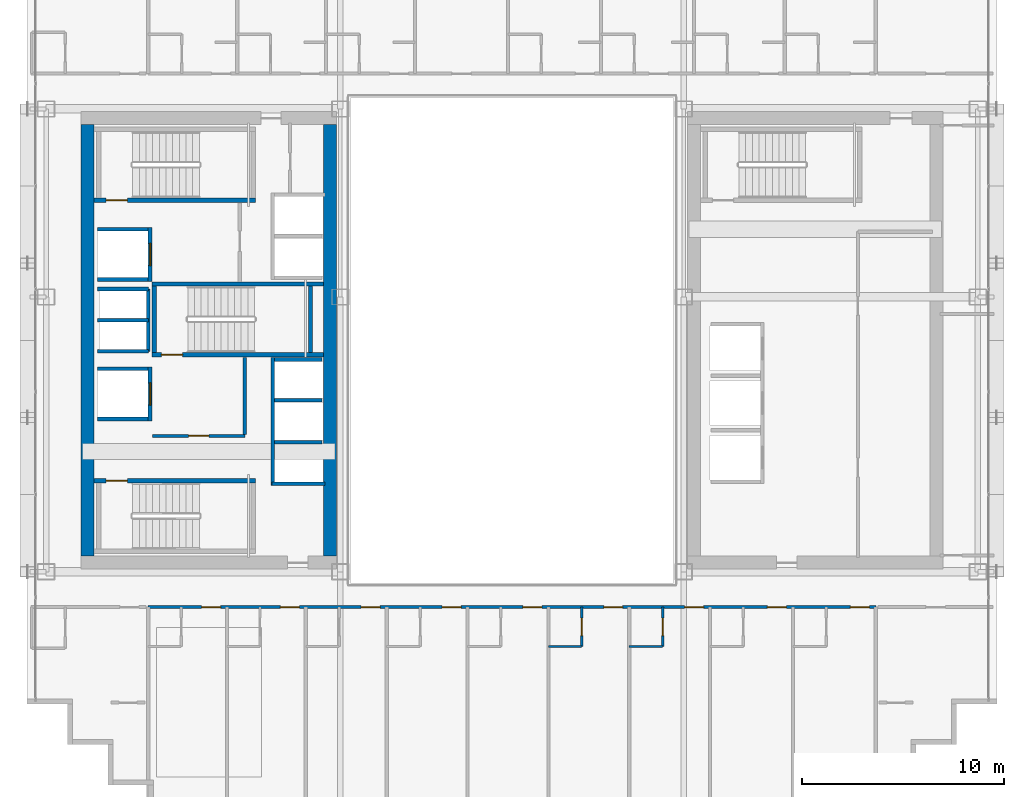
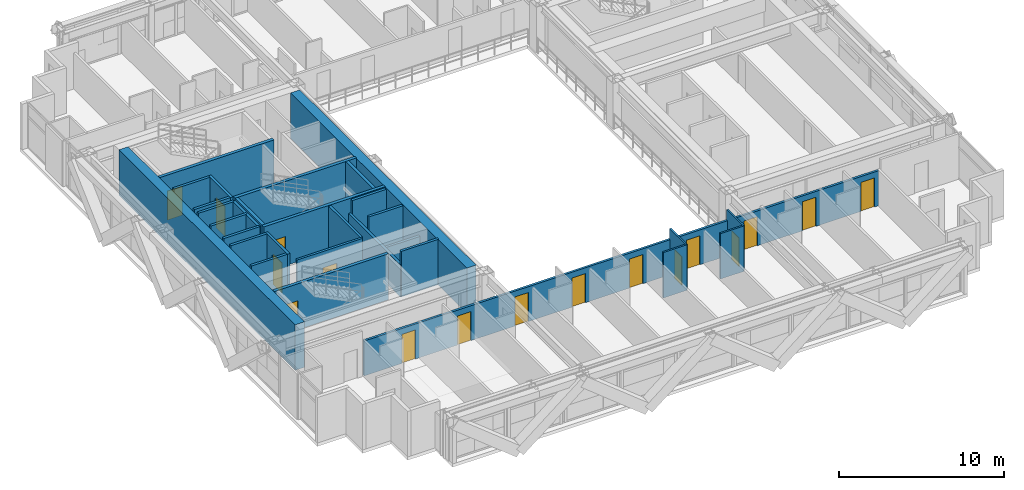
# One storey, part 28 of 36: 30 walls, 17 doors, 17 openings.
"""IFC4 building model written with IfcOpenShell, lengths in metres."""

from ifc_helpers import new_model, si_unit, direction, frame, frame_2d, origin, place, context, subcontext, project, spatial, rectangle, extrude, source, transform, mapped, material, layer, layer_set, type_object, element, fill, save


model = new_model("IFC4")

# Units and contexts
model_context = context("Model", 3, precision=1e-05, world=origin(), true_north=direction((0.0, 1.0)))
body_context = subcontext(model_context, "Body", "Model", "MODEL_VIEW")
ifc_project = project(units=[si_unit("LENGTHUNIT", "METRE"), si_unit("AREAUNIT", "SQUARE_METRE"), si_unit("VOLUMEUNIT", "CUBIC_METRE"), si_unit("PLANEANGLEUNIT", "RADIAN"), si_unit("MASSUNIT", "GRAM", prefix="KILO")], contexts=[model_context])

# Site, building, storey
site_placement = place(None, origin())
site = spatial("IfcSite", under=ifc_project, at=site_placement, CompositionType="ELEMENT")
building_placement = place(site_placement, origin())
building = spatial("IfcBuilding", under=site, at=building_placement, Name="Ocotamira Hotel", CompositionType="ELEMENT")
storey_placement = place(building_placement, frame((0.0, 0.0, 129.60009765625)))
storey = spatial("IfcBuildingStorey", under=building, at=storey_placement, Name="L32", CompositionType="ELEMENT", Elevation=129.60009765625)

# Walls
ifc_material_1 = material(Name="Concrete C60/75", Category="concrete")
ifc_layer_1 = layer(ifc_material_1, 0.64990234375)
ifc_layer_set_1 = layer_set([ifc_layer_1], Name="Concrete C60/75")
wall_type_1 = type_object("IfcWallType", Name="WL-CORE-650", PredefinedType="SHEAR", material=ifc_layer_set_1)
for number, where, z_axis, x_axis, name in (
    (1, (11.0, 15.324951171875, 0.0), (0.0, 0.0, 1.0), (0.0, 1.0, 0.0), "L32 Shear Core Wall WCORE-W"),
    (2, (23.0, 15.324951171875, 0.0), (0.0, 0.0, 1.0), (0.0, 1.0, 0.0), "L32 Shear Core Wall WCORE-E"),
):
    element("IfcWall", number, at=place(storey_placement, frame(where, z_axis=z_axis, x_axis=x_axis)), inside=storey, type_object=wall_type_1, Name=name, PredefinedType="SHEAR", context=body_context, shape_type="SweptSolid", body=[
        extrude(rectangle(XDim=21.35009765625, YDim=0.64990234375, at=frame_2d((10.675048828125, 0.0))), origin(), (0.0, 0.0, 1.0), 3.35986328125),
    ])

# Wall, opening, door
ifc_material_2 = material(Name="Acoustic double-layer fire gypsum board partition", Category="gypsum")
ifc_layer_2 = layer(ifc_material_2, 0.159912109375)
ifc_layer_set_2 = layer_set([ifc_layer_2], Name="Acoustic double-layer fire gypsum board partition")
wall_type_2 = type_object("IfcWallType", Name="WL-FIRE-160", PredefinedType="PARTITIONING", material=ifc_layer_set_2)
wall_1_placement = place(storey_placement, frame((14.199951171875, 21.27001953125, 0.0), z_axis=(0.0, 0.0, 1.0), x_axis=(1.0, 0.0, 0.0)))
wall_1 = element("IfcWall", 3, at=wall_1_placement, inside=storey, type_object=wall_type_2, Name="L32 Interior Wall PW-L32-FSAE1-S", PredefinedType="PARTITIONING", context=body_context, shape_type="SweptSolid", body=[
    extrude(rectangle(XDim=4.580078125, YDim=0.159912109375, at=frame_2d((2.2900390625, 0.0))), origin(), (0.0, 0.0, 1.0), 3.35986328125),
])
opening_1_placement = place(wall_1_placement, frame((1.800048828125, 0.0, 0.0)))
opening_1 = element("IfcOpeningElement", 4, at=opening_1_placement, cuts=wall_1, Name="Opening D-FR2", PredefinedType="OPENING", context=body_context, shape_type="SweptSolid", body=[
    extrude(rectangle(XDim=1.0, YDim=2.14990234375, at=frame_2d((0.5, 1.074951171875))), frame((0.0, 0.08984375, 0.0), z_axis=(0.0, -1.0, 0.0), x_axis=(1.0, 0.0, 0.0)), (0.0, 0.0, 1.0), 0.179931640625),
])
ifc_material_3 = material(Name="Fire-rated acoustic timber-veneer door", Category="wood")
door_type_1 = type_object("IfcDoorType", Name="DR-FIRE-1000", OperationType="NOTDEFINED", PredefinedType="DOOR", material=ifc_material_3)
shared_shape_1 = source(origin(), body_context, "Body", "SweptSolid", [
    extrude(rectangle(XDim=1.0, YDim=2.14990234375, at=frame_2d((0.5, 1.074951171875))), frame((0.0, 0.02490234375, 0.0), z_axis=(0.0, -1.0, 0.0), x_axis=(1.0, 0.0, 0.0)), (0.0, 0.0, 1.0), 0.050048828125),
])
door_1_placement = place(opening_1_placement, origin())
door_1 = element("IfcDoor", 5, at=door_1_placement, inside=storey, type_object=door_type_1, Name="L32 Door ID-L32-FSAE1-D [ID-L32-FSAE1-D]", OperationType="SINGLE_SWING_LEFT", OverallHeight=2.14990234375, OverallWidth=1.0, PredefinedType="DOOR", context=body_context, shape_type="MappedRepresentation", body=[
    mapped(shared_shape_1, transform((0.0, 0.0, 0.0), scale=1.0)),
])
fill(opening_1, door_1)

# Wall
wall_2_placement = place(storey_placement, frame((18.780029296875, 21.35009765625, 0.0), z_axis=(0.0, 0.0, 1.0), x_axis=(0.0, 1.0, 0.0)))
element("IfcWall", 6, at=wall_2_placement, inside=storey, type_object=wall_type_2, Name="L32 Interior Wall PW-L32-FSAE1-E", PredefinedType="PARTITIONING", context=body_context, shape_type="SweptSolid", body=[
    extrude(rectangle(XDim=3.809814453125, YDim=0.159912109375, at=frame_2d((1.90478515625, 0.0))), origin(), (0.0, 0.0, 1.0), 3.35986328125),
])

# Wall, openings, doors
wall_3_placement = place(storey_placement, frame((14.0, 12.800048828125, 0.0), z_axis=(0.0, 0.0, 1.0), x_axis=(1.0, 0.0, 0.0)))
wall_3 = element("IfcWall", 7, at=wall_3_placement, inside=storey, type_object=wall_type_2, Name="L32 Interior Wall PW-L32-Z2DS-CORRW", PredefinedType="PARTITIONING", context=body_context, shape_type="SweptSolid", body=[
    extrude(rectangle(XDim=36.0, YDim=0.159912109375, at=frame_2d((18.0, 0.0))), origin(), (0.0, 0.0, 1.0), 2.580810546875),
])
opening_2_placement = place(wall_3_placement, frame((2.639892578125, 0.0, 0.0)))
opening_2 = element("IfcOpeningElement", 8, at=opening_2_placement, cuts=wall_3, Name="Opening D-GR1", PredefinedType="OPENING", context=body_context, shape_type="SweptSolid", body=[
    extrude(rectangle(XDim=0.93994140625, YDim=2.14990234375, at=frame_2d((0.469970703125, 1.074951171875))), frame((0.0, 0.08984375, 0.0), z_axis=(0.0, -1.0, 0.0), x_axis=(1.0, 0.0, 0.0)), (0.0, 0.0, 1.0), 0.179931640625),
])
opening_3_placement = place(wall_3_placement, frame((6.5400390625, 0.0, 0.0)))
opening_3 = element("IfcOpeningElement", 9, at=opening_3_placement, cuts=wall_3, Name="Opening D-GR1", PredefinedType="OPENING", context=body_context, shape_type="SweptSolid", body=[
    extrude(rectangle(XDim=0.93994140625, YDim=2.14990234375, at=frame_2d((0.469970703125, 1.074951171875))), frame((0.0, 0.08984375, 0.0), z_axis=(0.0, -1.0, 0.0), x_axis=(1.0, 0.0, 0.0)), (0.0, 0.0, 1.0), 0.179931640625),
])
opening_4_placement = place(wall_3_placement, frame((10.5400390625, 0.0, 0.0)))
opening_4 = element("IfcOpeningElement", 10, at=opening_4_placement, cuts=wall_3, Name="Opening D-GR1", PredefinedType="OPENING", context=body_context, shape_type="SweptSolid", body=[
    extrude(rectangle(XDim=0.93994140625, YDim=2.14990234375, at=frame_2d((0.469970703125, 1.074951171875))), frame((0.0, 0.08984375, 0.0), z_axis=(0.0, -1.0, 0.0), x_axis=(1.0, 0.0, 0.0)), (0.0, 0.0, 1.0), 0.179931640625),
])
opening_5_placement = place(wall_3_placement, frame((14.5400390625, 0.0, 0.0)))
opening_5 = element("IfcOpeningElement", 11, at=opening_5_placement, cuts=wall_3, Name="Opening D-GR1", PredefinedType="OPENING", context=body_context, shape_type="SweptSolid", body=[
    extrude(rectangle(XDim=0.93994140625, YDim=2.14990234375, at=frame_2d((0.469970703125, 1.074951171875))), frame((0.0, 0.08984375, 0.0), z_axis=(0.0, -1.0, 0.0), x_axis=(1.0, 0.0, 0.0)), (0.0, 0.0, 1.0), 0.179931640625),
])
opening_6_placement = place(wall_3_placement, frame((18.5400390625, 0.0, 0.0)))
opening_6 = element("IfcOpeningElement", 12, at=opening_6_placement, cuts=wall_3, Name="Opening D-GR1", PredefinedType="OPENING", context=body_context, shape_type="SweptSolid", body=[
    extrude(rectangle(XDim=0.93994140625, YDim=2.14990234375, at=frame_2d((0.469970703125, 1.074951171875))), frame((0.0, 0.08984375, 0.0), z_axis=(0.0, -1.0, 0.0), x_axis=(1.0, 0.0, 0.0)), (0.0, 0.0, 1.0), 0.179931640625),
])
opening_7_placement = place(wall_3_placement, frame((22.5400390625, 0.0, 0.0)))
opening_7 = element("IfcOpeningElement", 13, at=opening_7_placement, cuts=wall_3, Name="Opening D-GR1", PredefinedType="OPENING", context=body_context, shape_type="SweptSolid", body=[
    extrude(rectangle(XDim=0.93994140625, YDim=2.14990234375, at=frame_2d((0.469970703125, 1.074951171875))), frame((0.0, 0.08984375, 0.0), z_axis=(0.0, -1.0, 0.0), x_axis=(1.0, 0.0, 0.0)), (0.0, 0.0, 1.0), 0.179931640625),
])
opening_8_placement = place(wall_3_placement, frame((26.5400390625, 0.0, 0.0)))
opening_8 = element("IfcOpeningElement", 14, at=opening_8_placement, cuts=wall_3, Name="Opening D-GR1", PredefinedType="OPENING", context=body_context, shape_type="SweptSolid", body=[
    extrude(rectangle(XDim=0.93994140625, YDim=2.14990234375, at=frame_2d((0.469970703125, 1.074951171875))), frame((0.0, 0.08984375, 0.0), z_axis=(0.0, -1.0, 0.0), x_axis=(1.0, 0.0, 0.0)), (0.0, 0.0, 1.0), 0.179931640625),
])
opening_9_placement = place(wall_3_placement, frame((30.639892578125, 0.0, 0.0)))
opening_9 = element("IfcOpeningElement", 15, at=opening_9_placement, cuts=wall_3, Name="Opening D-GR1", PredefinedType="OPENING", context=body_context, shape_type="SweptSolid", body=[
    extrude(rectangle(XDim=0.93994140625, YDim=2.14990234375, at=frame_2d((0.469970703125, 1.074951171875))), frame((0.0, 0.08984375, 0.0), z_axis=(0.0, -1.0, 0.0), x_axis=(1.0, 0.0, 0.0)), (0.0, 0.0, 1.0), 0.179931640625),
])
opening_10_placement = place(wall_3_placement, frame((34.739990234375, 0.0, 0.0)))
opening_10 = element("IfcOpeningElement", 16, at=opening_10_placement, cuts=wall_3, Name="Opening D-GR1", PredefinedType="OPENING", context=body_context, shape_type="SweptSolid", body=[
    extrude(rectangle(XDim=0.93994140625, YDim=2.14990234375, at=frame_2d((0.469970703125, 1.074951171875))), frame((0.0, 0.08984375, 0.0), z_axis=(0.0, -1.0, 0.0), x_axis=(1.0, 0.0, 0.0)), (0.0, 0.0, 1.0), 0.179931640625),
])
ifc_material_4 = material(Name="Solid-core walnut suite entrance fire door", Category="wood")
door_type_2 = type_object("IfcDoorType", Name="DR-GUEST-940", OperationType="NOTDEFINED", PredefinedType="DOOR", material=ifc_material_4)
shared_shape_2 = source(origin(), body_context, "Body", "SweptSolid", [
    extrude(rectangle(XDim=0.93994140625, YDim=2.14990234375, at=frame_2d((0.469970703125, 1.074951171875))), frame((0.0, 0.02490234375, 0.0), z_axis=(0.0, -1.0, 0.0), x_axis=(1.0, 0.0, 0.0)), (0.0, 0.0, 1.0), 0.050048828125),
])
door_2_placement = place(opening_2_placement, origin())
door_2 = element("IfcDoor", 17, at=door_2_placement, inside=storey, type_object=door_type_2, Name="L32 Door ID-L32-Z2DS-RMD1 [ID-L32-Z2DS-RMD1]", OperationType="SINGLE_SWING_LEFT", OverallHeight=2.14990234375, OverallWidth=0.93994140625, PredefinedType="DOOR", context=body_context, shape_type="MappedRepresentation", body=[
    mapped(shared_shape_2, transform((0.0, 0.0, 0.0), scale=1.0)),
])
fill(opening_2, door_2)
door_3_placement = place(opening_3_placement, origin())
door_3 = element("IfcDoor", 18, at=door_3_placement, inside=storey, type_object=door_type_2, Name="L32 Door ID-L32-Z2DS-RMD2 [ID-L32-Z2DS-RMD2]", OperationType="SINGLE_SWING_RIGHT", OverallHeight=2.14990234375, OverallWidth=0.93994140625, PredefinedType="DOOR", context=body_context, shape_type="MappedRepresentation", body=[
    mapped(shared_shape_2, transform((0.0, 0.0, 0.0), scale=1.0)),
])
fill(opening_3, door_3)
door_4_placement = place(opening_4_placement, origin())
door_4 = element("IfcDoor", 19, at=door_4_placement, inside=storey, type_object=door_type_2, Name="L32 Door ID-L32-Z2DS-RMD3 [ID-L32-Z2DS-RMD3]", OperationType="SINGLE_SWING_LEFT", OverallHeight=2.14990234375, OverallWidth=0.93994140625, PredefinedType="DOOR", context=body_context, shape_type="MappedRepresentation", body=[
    mapped(shared_shape_2, transform((0.0, 0.0, 0.0), scale=1.0)),
])
fill(opening_4, door_4)
door_5_placement = place(opening_5_placement, origin())
door_5 = element("IfcDoor", 20, at=door_5_placement, inside=storey, type_object=door_type_2, Name="L32 Door ID-L32-Z2DS-RMD4 [ID-L32-Z2DS-RMD4]", OperationType="SINGLE_SWING_RIGHT", OverallHeight=2.14990234375, OverallWidth=0.93994140625, PredefinedType="DOOR", context=body_context, shape_type="MappedRepresentation", body=[
    mapped(shared_shape_2, transform((0.0, 0.0, 0.0), scale=1.0)),
])
fill(opening_5, door_5)
door_6_placement = place(opening_6_placement, origin())
door_6 = element("IfcDoor", 21, at=door_6_placement, inside=storey, type_object=door_type_2, Name="L32 Door ID-L32-Z2DS-RMD5 [ID-L32-Z2DS-RMD5]", OperationType="SINGLE_SWING_LEFT", OverallHeight=2.14990234375, OverallWidth=0.93994140625, PredefinedType="DOOR", context=body_context, shape_type="MappedRepresentation", body=[
    mapped(shared_shape_2, transform((0.0, 0.0, 0.0), scale=1.0)),
])
fill(opening_6, door_6)
door_7_placement = place(opening_7_placement, origin())
door_7 = element("IfcDoor", 22, at=door_7_placement, inside=storey, type_object=door_type_2, Name="L32 Door ID-L32-Z2DS-RMD6 [ID-L32-Z2DS-RMD6]", OperationType="SINGLE_SWING_RIGHT", OverallHeight=2.14990234375, OverallWidth=0.93994140625, PredefinedType="DOOR", context=body_context, shape_type="MappedRepresentation", body=[
    mapped(shared_shape_2, transform((0.0, 0.0, 0.0), scale=1.0)),
])
fill(opening_7, door_7)
door_8_placement = place(opening_8_placement, origin())
door_8 = element("IfcDoor", 23, at=door_8_placement, inside=storey, type_object=door_type_2, Name="L32 Door ID-L32-Z2DS-RMD7 [ID-L32-Z2DS-RMD7]", OperationType="SINGLE_SWING_LEFT", OverallHeight=2.14990234375, OverallWidth=0.93994140625, PredefinedType="DOOR", context=body_context, shape_type="MappedRepresentation", body=[
    mapped(shared_shape_2, transform((0.0, 0.0, 0.0), scale=1.0)),
])
fill(opening_8, door_8)
door_9_placement = place(opening_9_placement, origin())
door_9 = element("IfcDoor", 24, at=door_9_placement, inside=storey, type_object=door_type_2, Name="L32 Door ID-L32-Z2DS-RMD8 [ID-L32-Z2DS-RMD8]", OperationType="SINGLE_SWING_RIGHT", OverallHeight=2.14990234375, OverallWidth=0.93994140625, PredefinedType="DOOR", context=body_context, shape_type="MappedRepresentation", body=[
    mapped(shared_shape_2, transform((0.0, 0.0, 0.0), scale=1.0)),
])
fill(opening_9, door_9)
door_10_placement = place(opening_10_placement, origin())
door_10 = element("IfcDoor", 25, at=door_10_placement, inside=storey, type_object=door_type_2, Name="L32 Door ID-L32-Z2DS-RMD9 [ID-L32-Z2DS-RMD9]", OperationType="SINGLE_SWING_LEFT", OverallHeight=2.14990234375, OverallWidth=0.93994140625, PredefinedType="DOOR", context=body_context, shape_type="MappedRepresentation", body=[
    mapped(shared_shape_2, transform((0.0, 0.0, 0.0), scale=1.0)),
])
fill(opening_10, door_10)

# Wall, opening, door
ifc_material_5 = material(Name="Moisture-resistant en-suite tile and gypsum partition", Category="gypsum")
ifc_layer_3 = layer(ifc_material_5, 0.1201171875)
ifc_layer_set_3 = layer_set([ifc_layer_3], Name="Moisture-resistant en-suite tile and gypsum partition")
wall_type_3 = type_object("IfcWallType", Name="WL-PART-120", PredefinedType="PARTITIONING", material=ifc_layer_set_3)
wall_4_placement = place(storey_placement, frame((35.449951171875, 10.85009765625, 0.0), z_axis=(0.0, 0.0, 1.0), x_axis=(0.0, 1.0, 0.0)))
wall_4 = element("IfcWall", 26, at=wall_4_placement, inside=storey, type_object=wall_type_3, Name="L32 Interior Wall PW-L32-Z2DS-BAE6", PredefinedType="PARTITIONING", context=body_context, shape_type="SweptSolid", body=[
    extrude(rectangle(XDim=1.949951171875, YDim=0.1201171875, at=frame_2d((0.97509765625, 0.0))), origin(), (0.0, 0.0, 1.0), 3.35986328125),
])
opening_11_placement = place(wall_4_placement, frame((0.544921875, 0.0, 0.0)))
opening_11 = element("IfcOpeningElement", 27, at=opening_11_placement, cuts=wall_4, Name="Opening D-BA1", PredefinedType="OPENING", context=body_context, shape_type="SweptSolid", body=[
    extrude(rectangle(XDim=0.860107421875, YDim=2.10009765625, at=frame_2d((0.43017578125, 1.050048828125))), frame((0.0, 0.070068359375, 0.0), z_axis=(0.0, -1.0, 0.0), x_axis=(1.0, 0.0, 0.0)), (0.0, 0.0, 1.0), 0.14013671875),
])
ifc_material_6 = material(Name="Moisture-sealed en-suite timber door", Category="wood")
door_type_3 = type_object("IfcDoorType", Name="DR-BATH-860", OperationType="NOTDEFINED", PredefinedType="DOOR", material=ifc_material_6)
shared_shape_3 = source(origin(), body_context, "Body", "SweptSolid", [
    extrude(rectangle(XDim=0.860107421875, YDim=2.10009765625, at=frame_2d((0.43017578125, 1.050048828125))), frame((0.0, 0.02490234375, 0.0), z_axis=(0.0, -1.0, 0.0), x_axis=(1.0, 0.0, 0.0)), (0.0, 0.0, 1.0), 0.050048828125),
])
door_11_placement = place(opening_11_placement, origin())
door_11 = element("IfcDoor", 28, at=door_11_placement, inside=storey, type_object=door_type_3, Name="L32 Door ID-L32-Z2DS-BAD6 [ID-L32-Z2DS-BAD6]", OperationType="SINGLE_SWING_LEFT", OverallHeight=2.10009765625, OverallWidth=0.860107421875, PredefinedType="DOOR", context=body_context, shape_type="MappedRepresentation", body=[
    mapped(shared_shape_3, transform((0.0, 0.0, 0.0), scale=1.0)),
])
fill(opening_11, door_11)

# Wall
wall_5_placement = place(storey_placement, frame((33.800048828125, 10.85009765625, 0.0), z_axis=(0.0, 0.0, 1.0), x_axis=(1.0, 0.0, 0.0)))
element("IfcWall", 29, at=wall_5_placement, inside=storey, type_object=wall_type_3, Name="L32 Interior Wall PW-L32-Z2DS-BAS6", PredefinedType="PARTITIONING", context=body_context, shape_type="SweptSolid", body=[
    extrude(rectangle(XDim=1.64990234375, YDim=0.1201171875, at=frame_2d((0.824951171875, 0.0))), origin(), (0.0, 0.0, 1.0), 3.35986328125),
])

# Wall, opening, door
wall_6_placement = place(storey_placement, frame((39.449951171875, 10.85009765625, 0.0), z_axis=(0.0, 0.0, 1.0), x_axis=(0.0, 1.0, 0.0)))
wall_6 = element("IfcWall", 30, at=wall_6_placement, inside=storey, type_object=wall_type_3, Name="L32 Interior Wall PW-L32-Z2DS-BAE7", PredefinedType="PARTITIONING", context=body_context, shape_type="SweptSolid", body=[
    extrude(rectangle(XDim=1.949951171875, YDim=0.1201171875, at=frame_2d((0.97509765625, 0.0))), origin(), (0.0, 0.0, 1.0), 3.35986328125),
])
opening_12_placement = place(wall_6_placement, frame((0.544921875, 0.0, 0.0)))
opening_12 = element("IfcOpeningElement", 31, at=opening_12_placement, cuts=wall_6, Name="Opening D-BA1", PredefinedType="OPENING", context=body_context, shape_type="SweptSolid", body=[
    extrude(rectangle(XDim=0.860107421875, YDim=2.10009765625, at=frame_2d((0.43017578125, 1.050048828125))), frame((0.0, 0.070068359375, 0.0), z_axis=(0.0, -1.0, 0.0), x_axis=(1.0, 0.0, 0.0)), (0.0, 0.0, 1.0), 0.14013671875),
])
door_12_placement = place(opening_12_placement, origin())
door_12 = element("IfcDoor", 32, at=door_12_placement, inside=storey, type_object=door_type_3, Name="L32 Door ID-L32-Z2DS-BAD7 [ID-L32-Z2DS-BAD7]", OperationType="SINGLE_SWING_RIGHT", OverallHeight=2.10009765625, OverallWidth=0.860107421875, PredefinedType="DOOR", context=body_context, shape_type="MappedRepresentation", body=[
    mapped(shared_shape_3, transform((0.0, 0.0, 0.0), scale=1.0)),
])
fill(opening_12, door_12)

# Walls
wall_7_placement = place(storey_placement, frame((37.800048828125, 10.85009765625, 0.0), z_axis=(0.0, 0.0, 1.0), x_axis=(1.0, 0.0, 0.0)))
element("IfcWall", 33, at=wall_7_placement, inside=storey, type_object=wall_type_3, Name="L32 Interior Wall PW-L32-Z2DS-BAS7", PredefinedType="PARTITIONING", context=body_context, shape_type="SweptSolid", body=[
    extrude(rectangle(XDim=1.64990234375, YDim=0.1201171875, at=frame_2d((0.824951171875, 0.0))), origin(), (0.0, 0.0, 1.0), 3.35986328125),
])
ifc_material_7 = material(Name="Fire-rated gypsum shaftliner board assembly", Category="gypsum")
ifc_layer_4 = layer(ifc_material_7, 0.179931640625)
ifc_layer_set_4 = layer_set([ifc_layer_4], Name="Fire-rated gypsum shaftliner board assembly")
wall_type_4 = type_object("IfcWallType", Name="WL-SHAFT-180", PredefinedType="SOLIDWALL", material=ifc_layer_set_4)
wall_8_placement = place(storey_placement, frame((20.159912109375, 18.820068359375, 0.0), z_axis=(0.0, 0.0, 1.0), x_axis=(0.0, 1.0, 0.0)))
element("IfcWall", 34, at=wall_8_placement, inside=storey, type_object=wall_type_4, Name="L32 Interior Wall PW-L32-LFW-BANK-high-F", PredefinedType="SOLIDWALL", context=body_context, shape_type="SweptSolid", body=[
    extrude(rectangle(XDim=6.31982421875, YDim=0.179931640625, at=frame_2d((3.159912109375, 0.0))), origin(), (0.0, 0.0, 1.0), 2.35986328125),
])
wall_9_placement = place(storey_placement, frame((20.1201171875, 18.909912109375, 0.0), z_axis=(0.0, 0.0, 1.0), x_axis=(1.0, 0.0, 0.0)))
element("IfcWall", 35, at=wall_9_placement, inside=storey, type_object=wall_type_4, Name="L32 Interior Wall PW-L32-LFW-BANK-high-S", PredefinedType="SOLIDWALL", context=body_context, shape_type="SweptSolid", body=[
    extrude(rectangle(XDim=2.6298828125, YDim=0.179931640625, at=frame_2d((1.31494140625, 0.0))), origin(), (0.0, 0.0, 1.0), 3.35986328125),
])
wall_10_placement = place(storey_placement, frame((20.25, 25.050048828125, 0.0), z_axis=(0.0, 0.0, 1.0), x_axis=(1.0, 0.0, 0.0)))
element("IfcWall", 36, at=wall_10_placement, inside=storey, type_object=wall_type_4, Name="L32 Interior Wall PW-L32-LFW-BANK-high-N", PredefinedType="SOLIDWALL", context=body_context, shape_type="SweptSolid", body=[
    extrude(rectangle(XDim=2.360107421875, YDim=0.179931640625, at=frame_2d((1.18017578125, 0.0))), origin(), (0.0, 0.0, 1.0), 3.35986328125),
])
wall_11_placement = place(storey_placement, frame((20.25, 20.965087890625, 0.0), z_axis=(0.0, 0.0, 1.0), x_axis=(1.0, 0.0, 0.0)))
element("IfcWall", 37, at=wall_11_placement, inside=storey, type_object=wall_type_4, Name="L32 Interior Wall PW-L32-LFW-DIV-LF-P7", PredefinedType="SOLIDWALL", context=body_context, shape_type="SweptSolid", body=[
    extrude(rectangle(XDim=2.360107421875, YDim=0.179931640625, at=frame_2d((1.18017578125, 0.0))), origin(), (0.0, 0.0, 1.0), 2.35986328125),
])
wall_12_placement = place(storey_placement, frame((20.25, 23.044921875, 0.0), z_axis=(0.0, 0.0, 1.0), x_axis=(1.0, 0.0, 0.0)))
element("IfcWall", 38, at=wall_12_placement, inside=storey, type_object=wall_type_4, Name="L32 Interior Wall PW-L32-LFW-DIV-LF-P8", PredefinedType="SOLIDWALL", context=body_context, shape_type="SweptSolid", body=[
    extrude(rectangle(XDim=2.360107421875, YDim=0.179931640625, at=frame_2d((1.18017578125, 0.0))), origin(), (0.0, 0.0, 1.0), 3.35986328125),
])
for number, where, z_axis, x_axis, name in (
    (39, (11.5, 22.110107421875, 0.0), (0.0, 0.0, 1.0), (1.0, 0.0, 0.0), "L32 Interior Wall PW-L32-LFW-LF-FSAE1-S"),
    (40, (11.5, 24.590087890625, 0.0), (0.0, 0.0, 1.0), (1.0, 0.0, 0.0), "L32 Interior Wall PW-L32-LFW-LF-FSAE1-N"),
):
    element("IfcWall", number, at=place(storey_placement, frame(where, z_axis=z_axis, x_axis=x_axis)), inside=storey, type_object=wall_type_4, Name=name, PredefinedType="SOLIDWALL", context=body_context, shape_type="SweptSolid", body=[
        extrude(rectangle(XDim=2.5, YDim=0.179931640625, at=frame_2d((1.25, 0.0))), origin(), (0.0, 0.0, 1.0), 3.35986328125),
    ])

# Wall, opening, door
wall_13_placement = place(storey_placement, frame((14.090087890625, 22.02001953125, 0.0), z_axis=(0.0, 0.0, 1.0), x_axis=(0.0, 1.0, 0.0)))
wall_13 = element("IfcWall", 41, at=wall_13_placement, inside=storey, type_object=wall_type_4, Name="L32 Interior Wall PW-L32-LFW-LF-FSAE1-E", PredefinedType="SOLIDWALL", context=body_context, shape_type="SweptSolid", body=[
    extrude(rectangle(XDim=2.659912109375, YDim=0.179931640625, at=frame_2d((1.330078125, 0.0))), origin(), (0.0, 0.0, 1.0), 3.35986328125),
])
opening_13_placement = place(wall_13_placement, frame((0.780029296875, 0.0, 0.0)))
opening_13 = element("IfcOpeningElement", 42, at=opening_13_placement, cuts=wall_13, Name="Opening LD-LF-FSAE1", PredefinedType="OPENING", context=body_context, shape_type="SweptSolid", body=[
    extrude(rectangle(XDim=1.10009765625, YDim=2.199951171875, at=frame_2d((0.550048828125, 1.10009765625))), frame((0.0, 0.10009765625, 0.0), z_axis=(0.0, -1.0, 0.0), x_axis=(1.0, 0.0, 0.0)), (0.0, 0.0, 1.0), 0.199951171875),
])
ifc_material_8 = material(Name="Brushed pale-metal stainless elevator landing door", Category="steel")
door_type_4 = type_object("IfcDoorType", Name="DR-LIFT-1100", OperationType="NOTDEFINED", PredefinedType="DOOR", material=ifc_material_8)
shared_shape_4 = source(origin(), body_context, "Body", "SweptSolid", [
    extrude(rectangle(XDim=1.10009765625, YDim=2.199951171875, at=frame_2d((0.550048828125, 1.10009765625))), frame((0.0, 0.02490234375, 0.0), z_axis=(0.0, -1.0, 0.0), x_axis=(1.0, 0.0, 0.0)), (0.0, 0.0, 1.0), 0.050048828125),
])
door_13_placement = place(opening_13_placement, origin())
door_13 = element("IfcDoor", 43, at=door_13_placement, inside=storey, type_object=door_type_4, Name="L32 Landing Door LD-LF-FSAE1 [ID-L32-LD-LF-FSAE1]", OperationType="DOUBLE_DOOR_SLIDING", OverallHeight=2.199951171875, OverallWidth=1.10009765625, PredefinedType="DOOR", context=body_context, shape_type="MappedRepresentation", body=[
    mapped(shared_shape_4, transform((0.0, 0.0, 0.0), scale=1.0)),
])
fill(opening_13, door_13)

# Walls
for number, where, z_axis, x_axis, name in (
    (44, (11.5, 29.010009765625, 0.0), (0.0, 0.0, 1.0), (1.0, 0.0, 0.0), "L32 Interior Wall PW-L32-LFW-LF-FSAE2-S"),
    (45, (11.5, 31.489990234375, 0.0), (0.0, 0.0, 1.0), (1.0, 0.0, 0.0), "L32 Interior Wall PW-L32-LFW-LF-FSAE2-N"),
):
    element("IfcWall", number, at=place(storey_placement, frame(where, z_axis=z_axis, x_axis=x_axis)), inside=storey, type_object=wall_type_4, Name=name, PredefinedType="SOLIDWALL", context=body_context, shape_type="SweptSolid", body=[
        extrude(rectangle(XDim=2.5, YDim=0.179931640625, at=frame_2d((1.25, 0.0))), origin(), (0.0, 0.0, 1.0), 3.35986328125),
    ])

# Wall, opening, door
wall_14_placement = place(storey_placement, frame((14.090087890625, 28.919921875, 0.0), z_axis=(0.0, 0.0, 1.0), x_axis=(0.0, 1.0, 0.0)))
wall_14 = element("IfcWall", 46, at=wall_14_placement, inside=storey, type_object=wall_type_4, Name="L32 Interior Wall PW-L32-LFW-LF-FSAE2-E", PredefinedType="SOLIDWALL", context=body_context, shape_type="SweptSolid", body=[
    extrude(rectangle(XDim=2.66015625, YDim=0.179931640625, at=frame_2d((1.330078125, 0.0))), origin(), (0.0, 0.0, 1.0), 3.35986328125),
])
opening_14_placement = place(wall_14_placement, frame((0.780029296875, 0.0, 0.0)))
opening_14 = element("IfcOpeningElement", 47, at=opening_14_placement, cuts=wall_14, Name="Opening LD-LF-FSAE2", PredefinedType="OPENING", context=body_context, shape_type="SweptSolid", body=[
    extrude(rectangle(XDim=1.10009765625, YDim=2.199951171875, at=frame_2d((0.550048828125, 1.10009765625))), frame((0.0, 0.10009765625, 0.0), z_axis=(0.0, -1.0, 0.0), x_axis=(1.0, 0.0, 0.0)), (0.0, 0.0, 1.0), 0.199951171875),
])
door_14_placement = place(opening_14_placement, origin())
door_14 = element("IfcDoor", 48, at=door_14_placement, inside=storey, type_object=door_type_4, Name="L32 Landing Door LD-LF-FSAE2 [ID-L32-LD-LF-FSAE2]", OperationType="DOUBLE_DOOR_SLIDING", OverallHeight=2.199951171875, OverallWidth=1.10009765625, PredefinedType="DOOR", context=body_context, shape_type="MappedRepresentation", body=[
    mapped(shared_shape_4, transform((0.0, 0.0, 0.0), scale=1.0)),
])
fill(opening_14, door_14)

# Walls
for number, where, z_axis, x_axis, name in (
    (49, (11.5, 25.4599609375, 0.0), (0.0, 0.0, 1.0), (1.0, 0.0, 0.0), "L32 Interior Wall PW-L32-RSW-S"),
    (50, (11.5, 27.0, 0.0), (0.0, 0.0, 1.0), (1.0, 0.0, 0.0), "L32 Interior Wall PW-L32-RSW-MID"),
    (51, (11.5, 28.5400390625, 0.0), (0.0, 0.0, 1.0), (1.0, 0.0, 0.0), "L32 Interior Wall PW-L32-RSW-N"),
):
    element("IfcWall", number, at=place(storey_placement, frame(where, z_axis=z_axis, x_axis=x_axis)), inside=storey, type_object=wall_type_4, Name=name, PredefinedType="SOLIDWALL", context=body_context, shape_type="SweptSolid", body=[
        extrude(rectangle(XDim=2.510009765625, YDim=0.179931640625, at=frame_2d((1.2548828125, 0.0))), origin(), (0.0, 0.0, 1.0), 3.35986328125),
    ])
wall_15_placement = place(storey_placement, frame((14.010009765625, 25.4599609375, 0.0), z_axis=(0.0, 0.0, 1.0), x_axis=(0.0, 1.0, 0.0)))
element("IfcWall", 52, at=wall_15_placement, inside=storey, type_object=wall_type_4, Name="L32 Interior Wall PW-L32-RSW-E", PredefinedType="SOLIDWALL", context=body_context, shape_type="SweptSolid", body=[
    extrude(rectangle(XDim=3.080078125, YDim=0.179931640625, at=frame_2d((1.5400390625, 0.0))), origin(), (0.0, 0.0, 1.0), 3.35986328125),
])

# Wall, opening, door
ifc_material_9 = material(Name="Concrete C50/60", Category="concrete")
ifc_layer_5 = layer(ifc_material_9, 0.219970703125)
ifc_layer_set_5 = layer_set([ifc_layer_5], Name="Concrete C50/60")
wall_type_5 = type_object("IfcWallType", Name="WL-STAIR-220", PredefinedType="SHEAR", material=ifc_layer_set_5)
wall_16_placement = place(storey_placement, frame((11.324951171875, 19.06005859375, 0.0), z_axis=(0.0, 0.0, 1.0), x_axis=(1.0, 0.0, 0.0)))
wall_16 = element("IfcWall", 53, at=wall_16_placement, inside=storey, type_object=wall_type_5, Name="L32 Stair Shaft Structural Wall ST-1-N", PredefinedType="SHEAR", context=body_context, shape_type="SweptSolid", body=[
    extrude(rectangle(XDim=7.985107421875, YDim=0.219970703125, at=frame_2d((3.99267578125, 0.0))), origin(), (0.0, 0.0, 1.0), 3.39990234375),
])
opening_15_placement = place(wall_16_placement, frame((0.594970703125, 0.0, 0.0)))
opening_15 = element("IfcOpeningElement", 54, at=opening_15_placement, cuts=wall_16, Name="Opening D-ST2", PredefinedType="OPENING", context=body_context, shape_type="SweptSolid", body=[
    extrude(rectangle(XDim=1.050048828125, YDim=2.14990234375, at=frame_2d((0.52490234375, 1.074951171875))), frame((0.0, 0.1201171875, 0.0), z_axis=(0.0, -1.0, 0.0), x_axis=(1.0, 0.0, 0.0)), (0.0, 0.0, 1.0), 0.239990234375),
])
ifc_material_10 = material(Name="Insulated painted hollow-metal fire exit door", Category="steel")
door_type_5 = type_object("IfcDoorType", Name="DR-STAIR-1050", OperationType="NOTDEFINED", PredefinedType="DOOR", material=ifc_material_10)
shared_shape_5 = source(origin(), body_context, "Body", "SweptSolid", [
    extrude(rectangle(XDim=1.050048828125, YDim=2.14990234375, at=frame_2d((0.52490234375, 1.074951171875))), frame((0.0, 0.02490234375, 0.0), z_axis=(0.0, -1.0, 0.0), x_axis=(1.0, 0.0, 0.0)), (0.0, 0.0, 1.0), 0.050048828125),
])
door_15_placement = place(opening_15_placement, origin())
door_15 = element("IfcDoor", 55, at=door_15_placement, inside=storey, type_object=door_type_5, Name="L32 Door ID-L32-STD-ST-1 [ID-L32-STD-ST-1]", OperationType="SINGLE_SWING_LEFT", OverallHeight=2.14990234375, OverallWidth=1.050048828125, PredefinedType="DOOR", context=body_context, shape_type="MappedRepresentation", body=[
    mapped(shared_shape_5, transform((0.0, 0.0, 0.0), scale=1.0)),
])
fill(opening_15, door_15)

wall_17_placement = place(storey_placement, frame((11.324951171875, 32.93994140625, 0.0), z_axis=(0.0, 0.0, 1.0), x_axis=(1.0, 0.0, 0.0)))
wall_17 = element("IfcWall", 56, at=wall_17_placement, inside=storey, type_object=wall_type_5, Name="L32 Stair Shaft Structural Wall ST-2-S", PredefinedType="SHEAR", context=body_context, shape_type="SweptSolid", body=[
    extrude(rectangle(XDim=7.985107421875, YDim=0.219970703125, at=frame_2d((3.99267578125, 0.0))), origin(), (0.0, 0.0, 1.0), 3.39990234375),
])
opening_16_placement = place(wall_17_placement, frame((0.594970703125, 0.0, 0.0)))
opening_16 = element("IfcOpeningElement", 57, at=opening_16_placement, cuts=wall_17, Name="Opening D-ST2", PredefinedType="OPENING", context=body_context, shape_type="SweptSolid", body=[
    extrude(rectangle(XDim=1.050048828125, YDim=2.14990234375, at=frame_2d((0.52490234375, 1.074951171875))), frame((0.0, 0.1201171875, 0.0), z_axis=(0.0, -1.0, 0.0), x_axis=(1.0, 0.0, 0.0)), (0.0, 0.0, 1.0), 0.239990234375),
])
door_16_placement = place(opening_16_placement, origin())
door_16 = element("IfcDoor", 58, at=door_16_placement, inside=storey, type_object=door_type_5, Name="L32 Door ID-L32-STD-ST-2 [ID-L32-STD-ST-2]", OperationType="SINGLE_SWING_RIGHT", OverallHeight=2.14990234375, OverallWidth=1.050048828125, PredefinedType="DOOR", context=body_context, shape_type="MappedRepresentation", body=[
    mapped(shared_shape_5, transform((0.0, 0.0, 0.0), scale=1.0)),
])
fill(opening_16, door_16)

wall_18_placement = place(storey_placement, frame((14.179931640625, 25.2900390625, 0.0), z_axis=(0.0, 0.0, 1.0), x_axis=(1.0, 0.0, 0.0)))
wall_18 = element("IfcWall", 59, at=wall_18_placement, inside=storey, type_object=wall_type_5, Name="L32 Stair Shaft Structural Wall ST-3-S", PredefinedType="SHEAR", context=body_context, shape_type="SweptSolid", body=[
    extrude(rectangle(XDim=8.4951171875, YDim=0.219970703125, at=frame_2d((4.24755859375, 0.0))), origin(), (0.0, 0.0, 1.0), 3.39990234375),
])
opening_17_placement = place(wall_18_placement, frame((0.469970703125, 0.0, 0.0)))
opening_17 = element("IfcOpeningElement", 60, at=opening_17_placement, cuts=wall_18, Name="Opening D-ST2", PredefinedType="OPENING", context=body_context, shape_type="SweptSolid", body=[
    extrude(rectangle(XDim=1.050048828125, YDim=2.14990234375, at=frame_2d((0.52490234375, 1.074951171875))), frame((0.0, 0.1201171875, 0.0), z_axis=(0.0, -1.0, 0.0), x_axis=(1.0, 0.0, 0.0)), (0.0, 0.0, 1.0), 0.239990234375),
])
door_17_placement = place(opening_17_placement, origin())
door_17 = element("IfcDoor", 61, at=door_17_placement, inside=storey, type_object=door_type_5, Name="L32 Door ID-L32-STD-ST-3 [ID-L32-STD-ST-3]", OperationType="SINGLE_SWING_LEFT", OverallHeight=2.14990234375, OverallWidth=1.050048828125, PredefinedType="DOOR", context=body_context, shape_type="MappedRepresentation", body=[
    mapped(shared_shape_5, transform((0.0, 0.0, 0.0), scale=1.0)),
])
fill(opening_17, door_17)

# Walls
wall_19_placement = place(storey_placement, frame((14.179931640625, 28.7900390625, 0.0), z_axis=(0.0, 0.0, 1.0), x_axis=(1.0, 0.0, 0.0)))
element("IfcWall", 62, at=wall_19_placement, inside=storey, type_object=wall_type_5, Name="L32 Stair Shaft Structural Wall ST-3-N", PredefinedType="SHEAR", context=body_context, shape_type="SweptSolid", body=[
    extrude(rectangle(XDim=8.4951171875, YDim=0.219970703125, at=frame_2d((4.24755859375, 0.0))), origin(), (0.0, 0.0, 1.0), 3.39990234375),
])
for number, where, z_axis, x_axis, name in (
    (63, (14.2900390625, 25.39990234375, 0.0), (0.0, 0.0, 1.0), (0.0, 1.0, 0.0), "L32 Stair Shaft Structural Wall ST-3-W"),
    (64, (22.030029296875, 25.39990234375, 0.0), (0.0, 0.0, 1.0), (0.0, 1.0, 0.0), "L32 Stair Shaft Structural Wall ST-3-E"),
):
    element("IfcWall", number, at=place(storey_placement, frame(where, z_axis=z_axis, x_axis=x_axis)), inside=storey, type_object=wall_type_5, Name=name, PredefinedType="SHEAR", context=body_context, shape_type="SweptSolid", body=[
        extrude(rectangle(XDim=3.280029296875, YDim=0.219970703125, at=frame_2d((1.64013671875, 0.0))), origin(), (0.0, 0.0, 1.0), 3.39990234375),
    ])

save(model, "model.ifc")
